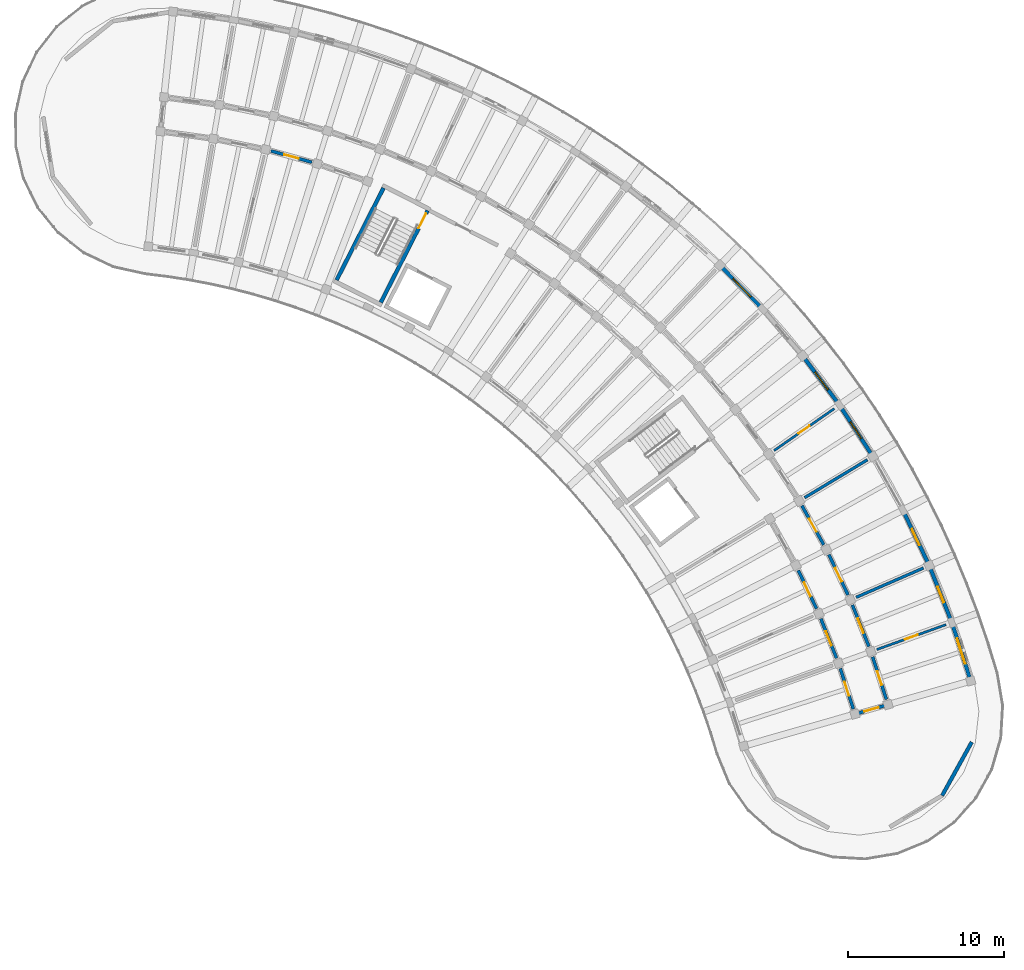
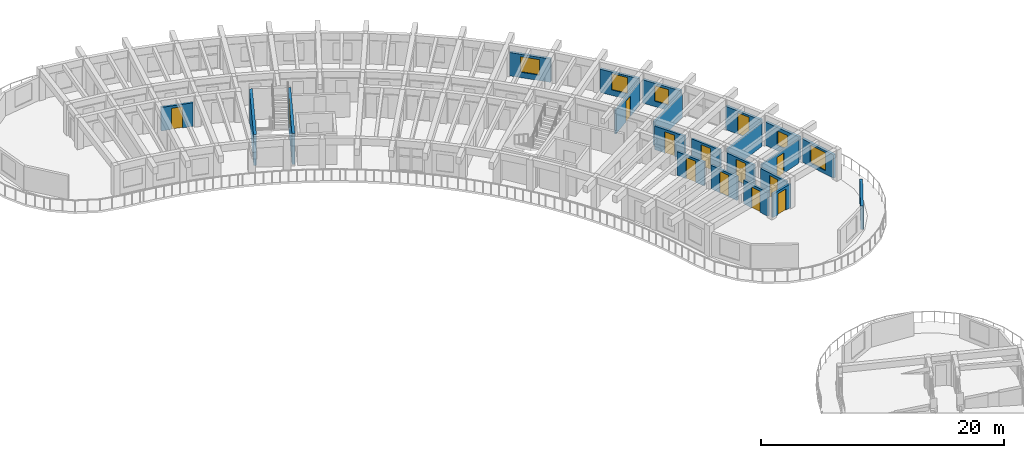
# One storey, part 53 of 78: 22 walls, 13 doors, 5 windows, 18 openings.
"""IFC4 building model written with IfcOpenShell, lengths in metres."""

from ifc_helpers import new_model, si_unit, direction, frame, frame_2d, origin, place, context, subcontext, project, spatial, rectangle, extrude, material, layer, layer_set, type_object, element, fill, save


model = new_model("IFC4")

# Units and contexts
model_context = context("Model", 3, precision=1e-05, world=origin(), true_north=direction((0.0, 1.0)))
body_context = subcontext(model_context, "Body", "Model", "MODEL_VIEW")
ifc_project = project(units=[si_unit("LENGTHUNIT", "METRE"), si_unit("AREAUNIT", "SQUARE_METRE"), si_unit("VOLUMEUNIT", "CUBIC_METRE"), si_unit("PLANEANGLEUNIT", "RADIAN"), si_unit("MASSUNIT", "GRAM", prefix="KILO")], contexts=[model_context])

# Site, building, storey
site_placement = place(None, origin())
site = spatial("IfcSite", under=ifc_project, at=site_placement, CompositionType="ELEMENT")
building_placement = place(site_placement, origin())
building = spatial("IfcBuilding", under=site, at=building_placement, Name="Tanwirah Colonnade Gardens", CompositionType="ELEMENT")
storey_placement = place(building_placement, frame((0.0, 0.0, 22.280029296875)))
storey = spatial("IfcBuildingStorey", under=building, at=storey_placement, Name="L06", CompositionType="ELEMENT", Elevation=22.280029296875)

# Wall, opening, window
ifc_material_1 = material(Name="Limestone architectural precast concrete C40/50", Category="masonry")
ifc_layer_1 = layer(ifc_material_1, 0.239990234375)
ifc_layer_set_1 = layer_set([ifc_layer_1], Name="Limestone architectural precast concrete C40/50")
wall_type_1 = type_object("IfcWallType", Name="EW-PC240", PredefinedType="SOLIDWALL", material=ifc_layer_set_1)
wall_1_placement = place(storey_placement, frame((178.16796875, 76.847412109375, 0.0), z_axis=(0.0, 0.0, 1.0), x_axis=(-0.30720538788, 0.951643236543, 0.0)))
wall_1 = element("IfcWall", 1, at=wall_1_placement, inside=storey, type_object=wall_type_1, Name="Block B L06 OUT Precast Facade Wall 0", PredefinedType="SOLIDWALL", context=body_context, shape_type="SweptSolid", body=[
    extrude(rectangle(XDim=3.5205078125, YDim=0.239990234375, at=frame_2d((1.76025390625, 0.0))), origin(), (0.0, 0.0, 1.0), 2.35498046875),
])
opening_1_placement = place(wall_1_placement, frame((0.910400390625, 0.0, 0.35009765625)))
opening_1 = element("IfcOpeningElement", 2, at=opening_1_placement, cuts=wall_1, Name="Opening WIN-T12", PredefinedType="OPENING", context=body_context, shape_type="SweptSolid", body=[
    extrude(rectangle(XDim=1.699951171875, YDim=1.800048828125, at=frame_2d((0.85009765625, 0.89990234375))), frame((0.0, 0.1298828125, 0.0), z_axis=(0.0, -1.0, 0.0), x_axis=(1.0, 0.0, 0.0)), (0.0, 0.0, 1.0), 0.260009765625),
])
ifc_material_2 = material(Name="Thermally broken bronze aluminium and solar low-E double glazing", Category="aluminium")
window_type_1 = type_object("IfcWindowType", Name="WIN-T12", PartitioningType="TRIPLE_PANEL_VERTICAL", PredefinedType="WINDOW", material=ifc_material_2)
window_1_placement = place(opening_1_placement, origin())
window_1 = element("IfcWindow", 3, at=window_1_placement, inside=storey, type_object=window_type_1, Name="Facade window B-L06-OUT-00", OverallHeight=1.800048828125, OverallWidth=1.699951171875, PartitioningType="SINGLE_PANEL", PredefinedType="WINDOW", context=body_context, shape_type="SweptSolid", body=[
    extrude(rectangle(XDim=1.699951171875, YDim=1.800048828125, at=frame_2d((0.85009765625, 0.89990234375))), frame((0.0, 0.030029296875, 0.0), z_axis=(0.0, -1.0, 0.0), x_axis=(1.0, 0.0, 0.0)), (0.0, 0.0, 1.0), 0.06005859375),
])
fill(opening_1, window_1)

wall_2_placement = place(storey_placement, frame((176.978271484375, 80.498779296875, 0.0), z_axis=(0.0, 0.0, 1.0), x_axis=(-0.369249632056, 0.929330247666, 0.0)))
wall_2 = element("IfcWall", 4, at=wall_2_placement, inside=storey, type_object=wall_type_1, Name="Block B L06 OUT Precast Facade Wall 1", PredefinedType="SOLIDWALL", context=body_context, shape_type="SweptSolid", body=[
    extrude(rectangle(XDim=3.520751953125, YDim=0.239990234375, at=frame_2d((1.76025390625, 0.0))), origin(), (0.0, 0.0, 1.0), 2.35498046875),
])
opening_2_placement = place(wall_2_placement, frame((1.22021484375, 0.0, 0.550048828125)))
opening_2 = element("IfcOpeningElement", 5, at=opening_2_placement, cuts=wall_2, Name="Opening WIN-T15", PredefinedType="OPENING", context=body_context, shape_type="SweptSolid", body=[
    extrude(rectangle(XDim=1.080078125, YDim=1.449951171875, at=frame_2d((0.5400390625, 0.72509765625))), frame((0.0, 0.1298828125, 0.0), z_axis=(0.0, -1.0, 0.0), x_axis=(1.0, 0.0, 0.0)), (0.0, 0.0, 1.0), 0.260009765625),
])
window_type_2 = type_object("IfcWindowType", Name="WIN-T15", PartitioningType="SINGLE_PANEL", PredefinedType="WINDOW", material=ifc_material_2)
window_2_placement = place(opening_2_placement, origin())
window_2 = element("IfcWindow", 6, at=window_2_placement, inside=storey, type_object=window_type_2, Name="Facade window B-L06-OUT-01", OverallHeight=1.449951171875, OverallWidth=1.080078125, PartitioningType="SINGLE_PANEL", PredefinedType="WINDOW", context=body_context, shape_type="SweptSolid", body=[
    extrude(rectangle(XDim=1.080078125, YDim=1.449951171875, at=frame_2d((0.5400390625, 0.72509765625))), frame((0.0, 0.030029296875, 0.0), z_axis=(0.0, -1.0, 0.0), x_axis=(1.0, 0.0, 0.0)), (0.0, 0.0, 1.0), 0.06005859375),
])
fill(opening_2, window_2)

# Wall, opening, door
wall_3_placement = place(storey_placement, frame((175.482666015625, 84.2197265625, 0.0), z_axis=(0.0, 0.0, 1.0), x_axis=(-0.429653621352, 0.902993779413, 0.0)))
wall_3 = element("IfcWall", 7, at=wall_3_placement, inside=storey, type_object=wall_type_1, Name="Block B L06 OUT Precast Facade Wall 2", PredefinedType="SOLIDWALL", context=body_context, shape_type="SweptSolid", body=[
    extrude(rectangle(XDim=3.520751953125, YDim=0.239990234375, at=frame_2d((1.76025390625, 0.0))), origin(), (0.0, 0.0, 1.0), 2.35498046875),
])
opening_3_placement = place(wall_3_placement, frame((1.1904296875, 0.0, 0.0)))
opening_3 = element("IfcOpeningElement", 8, at=opening_3_placement, cuts=wall_3, Name="Opening L06-ED094", PredefinedType="OPENING", context=body_context, shape_type="SweptSolid", body=[
    extrude(rectangle(XDim=1.139892578125, YDim=2.159912109375, at=frame_2d((0.56982421875, 1.080078125))), frame((0.0, 0.1298828125, 0.0), z_axis=(0.0, -1.0, 0.0), x_axis=(1.0, 0.0, 0.0)), (0.0, 0.0, 1.0), 0.260009765625),
])
ifc_material_3 = material(Name="Bronze aluminium glazed balcony door", Category="aluminium")
door_type_1 = type_object("IfcDoorType", Name="ED-BAL114", OperationType="NOTDEFINED", PredefinedType="DOOR", material=ifc_material_3)
door_1_placement = place(opening_3_placement, origin())
door_1 = element("IfcDoor", 9, at=door_1_placement, inside=storey, type_object=door_type_1, Name="Balcony glazed door L06-ED094", OperationType="SINGLE_SWING_LEFT", OverallHeight=2.159912109375, OverallWidth=1.139892578125, PredefinedType="DOOR", context=body_context, shape_type="SweptSolid", body=[
    extrude(rectangle(XDim=1.139892578125, YDim=2.159912109375, at=frame_2d((0.56982421875, 1.080078125))), frame((0.0, 0.02490234375, 0.0), z_axis=(0.0, -1.0, 0.0), x_axis=(1.0, 0.0, 0.0)), (0.0, 0.0, 1.0), 0.050048828125),
])
fill(opening_3, door_1)

# Wall, opening, window
wall_4_placement = place(storey_placement, frame((171.851318359375, 91.1748046875, 0.0), z_axis=(0.0, 0.0, 1.0), x_axis=(-0.544610510414, 0.838689091349, 0.0)))
wall_4 = element("IfcWall", 10, at=wall_4_placement, inside=storey, type_object=wall_type_1, Name="Block B L06 OUT Precast Facade Wall 4", PredefinedType="SOLIDWALL", context=body_context, shape_type="SweptSolid", body=[
    extrude(rectangle(XDim=3.520751953125, YDim=0.239990234375, at=frame_2d((1.76025390625, 0.0))), origin(), (0.0, 0.0, 1.0), 2.35498046875),
])
opening_4_placement = place(wall_4_placement, frame((1.120361328125, 0.0, 0.550048828125)))
opening_4 = element("IfcOpeningElement", 11, at=opening_4_placement, cuts=wall_4, Name="Opening WIN-U04", PredefinedType="OPENING", context=body_context, shape_type="SweptSolid", body=[
    extrude(rectangle(XDim=1.280029296875, YDim=1.56005859375, at=frame_2d((0.64013671875, 0.780029296875))), frame((0.0, 0.1298828125, 0.0), z_axis=(0.0, -1.0, 0.0), x_axis=(1.0, 0.0, 0.0)), (0.0, 0.0, 1.0), 0.260009765625),
])
window_type_3 = type_object("IfcWindowType", Name="WIN-U04", PartitioningType="DOUBLE_PANEL_VERTICAL", PredefinedType="WINDOW", material=ifc_material_2)
window_3_placement = place(opening_4_placement, origin())
window_3 = element("IfcWindow", 12, at=window_3_placement, inside=storey, type_object=window_type_3, Name="Facade window B-L06-OUT-04", OverallHeight=1.56005859375, OverallWidth=1.280029296875, PartitioningType="SINGLE_PANEL", PredefinedType="WINDOW", context=body_context, shape_type="SweptSolid", body=[
    extrude(rectangle(XDim=1.280029296875, YDim=1.56005859375, at=frame_2d((0.64013671875, 0.780029296875))), frame((0.0, 0.030029296875, 0.0), z_axis=(0.0, -1.0, 0.0), x_axis=(1.0, 0.0, 0.0)), (0.0, 0.0, 1.0), 0.06005859375),
])
fill(opening_4, window_3)

wall_5_placement = place(storey_placement, frame((169.7509765625, 94.389892578125, 0.0), z_axis=(0.0, 0.0, 1.0), x_axis=(-0.598701122926, 0.800972512267, 0.0)))
wall_5 = element("IfcWall", 13, at=wall_5_placement, inside=storey, type_object=wall_type_1, Name="Block B L06 OUT Precast Facade Wall 5", PredefinedType="SOLIDWALL", context=body_context, shape_type="SweptSolid", body=[
    extrude(rectangle(XDim=3.520751953125, YDim=0.239990234375, at=frame_2d((1.76025390625, 0.0))), origin(), (0.0, 0.0, 1.0), 2.35498046875),
])
opening_5_placement = place(wall_5_placement, frame((1.060302734375, 0.0, 0.550048828125)))
opening_5 = element("IfcOpeningElement", 14, at=opening_5_placement, cuts=wall_5, Name="Opening WIN-U07", PredefinedType="OPENING", context=body_context, shape_type="SweptSolid", body=[
    extrude(rectangle(XDim=1.39990234375, YDim=1.635009765625, at=frame_2d((0.699951171875, 0.8173828125))), frame((0.0, 0.1298828125, 0.0), z_axis=(0.0, -1.0, 0.0), x_axis=(1.0, 0.0, 0.0)), (0.0, 0.0, 1.0), 0.260009765625),
])
window_type_4 = type_object("IfcWindowType", Name="WIN-U07", PartitioningType="DOUBLE_PANEL_VERTICAL", PredefinedType="WINDOW", material=ifc_material_2)
window_4_placement = place(opening_5_placement, origin())
window_4 = element("IfcWindow", 15, at=window_4_placement, inside=storey, type_object=window_type_4, Name="Facade window B-L06-OUT-05", OverallHeight=1.635009765625, OverallWidth=1.39990234375, PartitioningType="SINGLE_PANEL", PredefinedType="WINDOW", context=body_context, shape_type="SweptSolid", body=[
    extrude(rectangle(XDim=1.39990234375, YDim=1.635009765625, at=frame_2d((0.699951171875, 0.8173828125))), frame((0.0, 0.030029296875, 0.0), z_axis=(0.0, -1.0, 0.0), x_axis=(1.0, 0.0, 0.0)), (0.0, 0.0, 1.0), 0.06005859375),
])
fill(opening_5, window_4)

wall_6_placement = place(storey_placement, frame((164.83203125, 100.503173828125, 0.0), z_axis=(0.0, 0.0, 1.0), x_axis=(-0.698841852324, 0.715276216186, 0.0)))
wall_6 = element("IfcWall", 16, at=wall_6_placement, inside=storey, type_object=wall_type_1, Name="Block B L06 OUT Precast Facade Wall 7", PredefinedType="SOLIDWALL", context=body_context, shape_type="SweptSolid", body=[
    extrude(rectangle(XDim=3.520751953125, YDim=0.239990234375, at=frame_2d((1.76025390625, 0.0))), origin(), (0.0, 0.0, 1.0), 2.35498046875),
])
opening_6_placement = place(wall_6_placement, frame((0.9404296875, 0.0, 0.550048828125)))
opening_6 = element("IfcOpeningElement", 17, at=opening_6_placement, cuts=wall_6, Name="Opening WIN-U13", PredefinedType="OPENING", context=body_context, shape_type="SweptSolid", body=[
    extrude(rectangle(XDim=1.639892578125, YDim=1.56005859375, at=frame_2d((0.81982421875, 0.780029296875))), frame((0.0, 0.1298828125, 0.0), z_axis=(0.0, -1.0, 0.0), x_axis=(1.0, 0.0, 0.0)), (0.0, 0.0, 1.0), 0.260009765625),
])
window_type_5 = type_object("IfcWindowType", Name="WIN-U13", PartitioningType="DOUBLE_PANEL_VERTICAL", PredefinedType="WINDOW", material=ifc_material_2)
window_5_placement = place(opening_6_placement, origin())
window_5 = element("IfcWindow", 18, at=window_5_placement, inside=storey, type_object=window_type_5, Name="Facade window B-L06-OUT-07", OverallHeight=1.56005859375, OverallWidth=1.639892578125, PartitioningType="SINGLE_PANEL", PredefinedType="WINDOW", context=body_context, shape_type="SweptSolid", body=[
    extrude(rectangle(XDim=1.639892578125, YDim=1.56005859375, at=frame_2d((0.81982421875, 0.780029296875))), frame((0.0, 0.030029296875, 0.0), z_axis=(0.0, -1.0, 0.0), x_axis=(1.0, 0.0, 0.0)), (0.0, 0.0, 1.0), 0.06005859375),
])
fill(opening_6, window_5)

# Wall
wall_7_placement = place(storey_placement, frame((178.311279296875, 72.70654296875, 0.0), z_axis=(0.0, 0.0, 1.0), x_axis=(-0.484841794757, -0.874601871743, 0.0)))
element("IfcWall", 19, at=wall_7_placement, inside=storey, type_object=wall_type_1, Name="Block B L06 START Rounded End Wall 1", PredefinedType="SOLIDWALL", context=body_context, shape_type="SweptSolid", body=[
    extrude(rectangle(XDim=3.907958984375, YDim=0.239990234375, at=frame_2d((1.9541015625, 0.0))), origin(), (0.0, 0.0, 1.0), 2.35498046875),
])

# Wall, opening, door
ifc_material_4 = material(Name="Precast concrete C40/50", Category="concrete")
ifc_layer_2 = layer(ifc_material_4, 0.205078125)
ifc_layer_set_2 = layer_set([ifc_layer_2], Name="Precast concrete C40/50")
wall_type_2 = type_object("IfcWallType", Name="IW-CORR205", PredefinedType="PARTITIONING", material=ifc_layer_set_2)
wall_8_placement = place(storey_placement, frame((172.8486328125, 75.431396484375, 0.0), z_axis=(0.0, 0.0, 1.0), x_axis=(-0.307157249761, 0.951658774939, 0.0)))
wall_8 = element("IfcWall", 20, at=wall_8_placement, inside=storey, type_object=wall_type_2, Name="Block B L06 OUT Corridor Wall 0", PredefinedType="PARTITIONING", context=body_context, shape_type="SweptSolid", body=[
    extrude(rectangle(XDim=2.863037109375, YDim=0.205078125, at=frame_2d((1.431640625, 0.0))), origin(), (0.0, 0.0, 1.0), 2.369873046875),
])
opening_7_placement = place(wall_8_placement, frame((0.966552734375, 0.0, 0.0)))
opening_7 = element("IfcOpeningElement", 21, at=opening_7_placement, cuts=wall_8, Name="Opening L06-AD1043", PredefinedType="OPENING", context=body_context, shape_type="SweptSolid", body=[
    extrude(rectangle(XDim=0.929931640625, YDim=2.1201171875, at=frame_2d((0.46484375, 1.06005859375))), frame((0.0, 0.112548828125, 0.0), z_axis=(0.0, -1.0, 0.0), x_axis=(1.0, 0.0, 0.0)), (0.0, 0.0, 1.0), 0.22509765625),
])
ifc_material_5 = material(Name="Solid oak fire-resisting apartment entrance door")
door_type_2 = type_object("IfcDoorType", Name="ID-FLT093", OperationType="NOTDEFINED", PredefinedType="DOOR", material=ifc_material_5)
door_2_placement = place(opening_7_placement, origin())
door_2 = element("IfcDoor", 22, at=door_2_placement, inside=storey, type_object=door_type_2, Name="Apartment corridor door L06-AD1043", OperationType="SINGLE_SWING_LEFT", OverallHeight=2.1201171875, OverallWidth=0.929931640625, PredefinedType="DOOR", context=body_context, shape_type="SweptSolid", body=[
    extrude(rectangle(XDim=0.929931640625, YDim=2.1201171875, at=frame_2d((0.46484375, 1.06005859375))), frame((0.0, 0.02490234375, 0.0), z_axis=(0.0, -1.0, 0.0), x_axis=(1.0, 0.0, 0.0)), (0.0, 0.0, 1.0), 0.050048828125),
])
fill(opening_7, door_2)

wall_9_placement = place(storey_placement, frame((170.73388671875, 74.824951171875, 0.0), z_axis=(0.0, 0.0, 1.0), x_axis=(-0.307186478934, 0.95164934044, 0.0)))
wall_9 = element("IfcWall", 23, at=wall_9_placement, inside=storey, type_object=wall_type_2, Name="Block B L06 IN Corridor Wall 0", PredefinedType="PARTITIONING", context=body_context, shape_type="SweptSolid", body=[
    extrude(rectangle(XDim=2.718017578125, YDim=0.205078125, at=frame_2d((1.35888671875, 0.0))), origin(), (0.0, 0.0, 1.0), 2.369873046875),
])
opening_8_placement = place(wall_9_placement, frame((0.89404296875, 0.0, 0.0)))
opening_8 = element("IfcOpeningElement", 24, at=opening_8_placement, cuts=wall_9, Name="Opening L06-AD1044", PredefinedType="OPENING", context=body_context, shape_type="SweptSolid", body=[
    extrude(rectangle(XDim=0.929931640625, YDim=2.1201171875, at=frame_2d((0.46484375, 1.06005859375))), frame((0.0, 0.112548828125, 0.0), z_axis=(0.0, -1.0, 0.0), x_axis=(1.0, 0.0, 0.0)), (0.0, 0.0, 1.0), 0.22509765625),
])
door_3_placement = place(opening_8_placement, origin())
door_3 = element("IfcDoor", 25, at=door_3_placement, inside=storey, type_object=door_type_2, Name="Apartment corridor door L06-AD1044", OperationType="SINGLE_SWING_RIGHT", OverallHeight=2.1201171875, OverallWidth=0.929931640625, PredefinedType="DOOR", context=body_context, shape_type="SweptSolid", body=[
    extrude(rectangle(XDim=0.929931640625, YDim=2.1201171875, at=frame_2d((0.46484375, 1.06005859375))), frame((0.0, 0.02490234375, 0.0), z_axis=(0.0, -1.0, 0.0), x_axis=(1.0, 0.0, 0.0)), (0.0, 0.0, 1.0), 0.050048828125),
])
fill(opening_8, door_3)

wall_10_placement = place(storey_placement, frame((171.732421875, 78.814208984375, 0.0), z_axis=(0.0, 0.0, 1.0), x_axis=(-0.369213832442, 0.929344471083, 0.0)))
wall_10 = element("IfcWall", 26, at=wall_10_placement, inside=storey, type_object=wall_type_2, Name="Block B L06 OUT Corridor Wall 1", PredefinedType="PARTITIONING", context=body_context, shape_type="SweptSolid", body=[
    extrude(rectangle(XDim=2.86328125, YDim=0.205078125, at=frame_2d((1.431640625, 0.0))), origin(), (0.0, 0.0, 1.0), 2.369873046875),
])
opening_9_placement = place(wall_10_placement, frame((0.9365234375, 0.0, 0.0)))
opening_9 = element("IfcOpeningElement", 27, at=opening_9_placement, cuts=wall_10, Name="Opening L06-AD1046", PredefinedType="OPENING", context=body_context, shape_type="SweptSolid", body=[
    extrude(rectangle(XDim=0.989990234375, YDim=2.159912109375, at=frame_2d((0.4951171875, 1.080078125))), frame((0.0, 0.112548828125, 0.0), z_axis=(0.0, -1.0, 0.0), x_axis=(1.0, 0.0, 0.0)), (0.0, 0.0, 1.0), 0.22509765625),
])
door_type_3 = type_object("IfcDoorType", Name="ID-FLT099", OperationType="NOTDEFINED", PredefinedType="DOOR", material=ifc_material_5)
door_4_placement = place(opening_9_placement, origin())
door_4 = element("IfcDoor", 28, at=door_4_placement, inside=storey, type_object=door_type_3, Name="Apartment corridor door L06-AD1046", OperationType="SINGLE_SWING_RIGHT", OverallHeight=2.159912109375, OverallWidth=0.989990234375, PredefinedType="DOOR", context=body_context, shape_type="SweptSolid", body=[
    extrude(rectangle(XDim=0.989990234375, YDim=2.159912109375, at=frame_2d((0.4951171875, 1.080078125))), frame((0.0, 0.02490234375, 0.0), z_axis=(0.0, -1.0, 0.0), x_axis=(1.0, 0.0, 0.0)), (0.0, 0.0, 1.0), 0.050048828125),
])
fill(opening_9, door_4)

wall_11_placement = place(storey_placement, frame((169.662353515625, 78.06982421875, 0.0), z_axis=(0.0, 0.0, 1.0), x_axis=(-0.369237170461, 0.929335198919, 0.0)))
wall_11 = element("IfcWall", 29, at=wall_11_placement, inside=storey, type_object=wall_type_2, Name="Block B L06 IN Corridor Wall 1", PredefinedType="PARTITIONING", context=body_context, shape_type="SweptSolid", body=[
    extrude(rectangle(XDim=2.71826171875, YDim=0.205078125, at=frame_2d((1.359130859375, 0.0))), origin(), (0.0, 0.0, 1.0), 2.369873046875),
])
opening_10_placement = place(wall_11_placement, frame((0.864013671875, 0.0, 0.0)))
opening_10 = element("IfcOpeningElement", 30, at=opening_10_placement, cuts=wall_11, Name="Opening L06-AD1047", PredefinedType="OPENING", context=body_context, shape_type="SweptSolid", body=[
    extrude(rectangle(XDim=0.989990234375, YDim=2.159912109375, at=frame_2d((0.4951171875, 1.080078125))), frame((0.0, 0.112548828125, 0.0), z_axis=(0.0, -1.0, 0.0), x_axis=(1.0, 0.0, 0.0)), (0.0, 0.0, 1.0), 0.22509765625),
])
door_5_placement = place(opening_10_placement, origin())
door_5 = element("IfcDoor", 31, at=door_5_placement, inside=storey, type_object=door_type_3, Name="Apartment corridor door L06-AD1047", OperationType="SINGLE_SWING_LEFT", OverallHeight=2.159912109375, OverallWidth=0.989990234375, PredefinedType="DOOR", context=body_context, shape_type="SweptSolid", body=[
    extrude(rectangle(XDim=0.989990234375, YDim=2.159912109375, at=frame_2d((0.4951171875, 1.080078125))), frame((0.0, 0.02490234375, 0.0), z_axis=(0.0, -1.0, 0.0), x_axis=(1.0, 0.0, 0.0)), (0.0, 0.0, 1.0), 0.050048828125),
])
fill(opening_10, door_5)

wall_12_placement = place(storey_placement, frame((170.395751953125, 82.116455078125, 0.0), z_axis=(0.0, 0.0, 1.0), x_axis=(-0.429595933416, 0.90302122566, 0.0)))
wall_12 = element("IfcWall", 32, at=wall_12_placement, inside=storey, type_object=wall_type_2, Name="Block B L06 OUT Corridor Wall 2", PredefinedType="PARTITIONING", context=body_context, shape_type="SweptSolid", body=[
    extrude(rectangle(XDim=2.863037109375, YDim=0.205078125, at=frame_2d((1.431640625, 0.0))), origin(), (0.0, 0.0, 1.0), 2.369873046875),
])
opening_11_placement = place(wall_12_placement, frame((0.946533203125, 0.0, 0.0)))
opening_11 = element("IfcOpeningElement", 33, at=opening_11_placement, cuts=wall_12, Name="Opening L06-AD1049", PredefinedType="OPENING", context=body_context, shape_type="SweptSolid", body=[
    extrude(rectangle(XDim=0.969970703125, YDim=2.14990234375, at=frame_2d((0.48486328125, 1.074951171875))), frame((0.0, 0.112548828125, 0.0), z_axis=(0.0, -1.0, 0.0), x_axis=(1.0, 0.0, 0.0)), (0.0, 0.0, 1.0), 0.22509765625),
])
door_type_4 = type_object("IfcDoorType", Name="ID-FLT097", OperationType="NOTDEFINED", PredefinedType="DOOR", material=ifc_material_5)
door_6_placement = place(opening_11_placement, origin())
door_6 = element("IfcDoor", 34, at=door_6_placement, inside=storey, type_object=door_type_4, Name="Apartment corridor door L06-AD1049", OperationType="SINGLE_SWING_LEFT", OverallHeight=2.14990234375, OverallWidth=0.969970703125, PredefinedType="DOOR", context=body_context, shape_type="SweptSolid", body=[
    extrude(rectangle(XDim=0.969970703125, YDim=2.14990234375, at=frame_2d((0.48486328125, 1.074951171875))), frame((0.0, 0.02490234375, 0.0), z_axis=(0.0, -1.0, 0.0), x_axis=(1.0, 0.0, 0.0)), (0.0, 0.0, 1.0), 0.050048828125),
])
fill(opening_11, door_6)

wall_13_placement = place(storey_placement, frame((168.379150390625, 81.2373046875, 0.0), z_axis=(0.0, 0.0, 1.0), x_axis=(-0.429630211913, 0.90300491749, 0.0)))
wall_13 = element("IfcWall", 35, at=wall_13_placement, inside=storey, type_object=wall_type_2, Name="Block B L06 IN Corridor Wall 2", PredefinedType="PARTITIONING", context=body_context, shape_type="SweptSolid", body=[
    extrude(rectangle(XDim=2.718017578125, YDim=0.205078125, at=frame_2d((1.35888671875, 0.0))), origin(), (0.0, 0.0, 1.0), 2.369873046875),
])
opening_12_placement = place(wall_13_placement, frame((0.8740234375, 0.0, 0.0)))
opening_12 = element("IfcOpeningElement", 36, at=opening_12_placement, cuts=wall_13, Name="Opening L06-AD1050", PredefinedType="OPENING", context=body_context, shape_type="SweptSolid", body=[
    extrude(rectangle(XDim=0.969970703125, YDim=2.14990234375, at=frame_2d((0.48486328125, 1.074951171875))), frame((0.0, 0.112548828125, 0.0), z_axis=(0.0, -1.0, 0.0), x_axis=(1.0, 0.0, 0.0)), (0.0, 0.0, 1.0), 0.22509765625),
])
door_7_placement = place(opening_12_placement, origin())
door_7 = element("IfcDoor", 37, at=door_7_placement, inside=storey, type_object=door_type_4, Name="Apartment corridor door L06-AD1050", OperationType="SINGLE_SWING_RIGHT", OverallHeight=2.14990234375, OverallWidth=0.969970703125, PredefinedType="DOOR", context=body_context, shape_type="SweptSolid", body=[
    extrude(rectangle(XDim=0.969970703125, YDim=2.14990234375, at=frame_2d((0.48486328125, 1.074951171875))), frame((0.0, 0.02490234375, 0.0), z_axis=(0.0, -1.0, 0.0), x_axis=(1.0, 0.0, 0.0)), (0.0, 0.0, 1.0), 0.050048828125),
])
fill(opening_12, door_7)

wall_14_placement = place(storey_placement, frame((168.844482421875, 85.323486328125, 0.0), z_axis=(0.0, 0.0, 1.0), x_axis=(-0.48817487918, 0.872745832037, 0.0)))
wall_14 = element("IfcWall", 38, at=wall_14_placement, inside=storey, type_object=wall_type_2, Name="Block B L06 OUT Corridor Wall 3", PredefinedType="PARTITIONING", context=body_context, shape_type="SweptSolid", body=[
    extrude(rectangle(XDim=2.863037109375, YDim=0.205078125, at=frame_2d((1.431640625, 0.0))), origin(), (0.0, 0.0, 1.0), 2.369873046875),
])
opening_13_placement = place(wall_14_placement, frame((0.95654296875, 0.0, 0.0)))
opening_13 = element("IfcOpeningElement", 39, at=opening_13_placement, cuts=wall_14, Name="Opening L06-AD1051", PredefinedType="OPENING", context=body_context, shape_type="SweptSolid", body=[
    extrude(rectangle(XDim=0.949951171875, YDim=2.1298828125, at=frame_2d((0.47509765625, 1.06494140625))), frame((0.0, 0.112548828125, 0.0), z_axis=(0.0, -1.0, 0.0), x_axis=(1.0, 0.0, 0.0)), (0.0, 0.0, 1.0), 0.22509765625),
])
door_type_5 = type_object("IfcDoorType", Name="ID-FLT095", OperationType="NOTDEFINED", PredefinedType="DOOR", material=ifc_material_5)
door_8_placement = place(opening_13_placement, origin())
door_8 = element("IfcDoor", 40, at=door_8_placement, inside=storey, type_object=door_type_5, Name="Apartment corridor door L06-AD1051", OperationType="SINGLE_SWING_RIGHT", OverallHeight=2.1298828125, OverallWidth=0.949951171875, PredefinedType="DOOR", context=body_context, shape_type="SweptSolid", body=[
    extrude(rectangle(XDim=0.949951171875, YDim=2.1298828125, at=frame_2d((0.47509765625, 1.06494140625))), frame((0.0, 0.02490234375, 0.0), z_axis=(0.0, -1.0, 0.0), x_axis=(1.0, 0.0, 0.0)), (0.0, 0.0, 1.0), 0.050048828125),
])
fill(opening_13, door_8)

wall_15_placement = place(storey_placement, frame((136.1103515625, 109.78857421875, 0.0), z_axis=(0.0, 0.0, 1.0), x_axis=(-0.96388375821, 0.266323301006, 0.0)))
wall_15 = element("IfcWall", 41, at=wall_15_placement, inside=storey, type_object=wall_type_2, Name="Block B L06 IN Corridor Wall 15", PredefinedType="PARTITIONING", context=body_context, shape_type="SweptSolid", body=[
    extrude(rectangle(XDim=2.718017578125, YDim=0.205078125, at=frame_2d((1.35888671875, 0.0))), origin(), (0.0, 0.0, 1.0), 2.369873046875),
])
opening_14_placement = place(wall_15_placement, frame((0.884033203125, 0.0, 0.0)))
opening_14 = element("IfcOpeningElement", 42, at=opening_14_placement, cuts=wall_15, Name="Opening L06-AD1077", PredefinedType="OPENING", context=body_context, shape_type="SweptSolid", body=[
    extrude(rectangle(XDim=0.949951171875, YDim=2.1298828125, at=frame_2d((0.47509765625, 1.06494140625))), frame((0.0, 0.112548828125, 0.0), z_axis=(0.0, -1.0, 0.0), x_axis=(1.0, 0.0, 0.0)), (0.0, 0.0, 1.0), 0.22509765625),
])
door_9_placement = place(opening_14_placement, origin())
door_9 = element("IfcDoor", 43, at=door_9_placement, inside=storey, type_object=door_type_5, Name="Apartment corridor door L06-AD1077", OperationType="SINGLE_SWING_LEFT", OverallHeight=2.1298828125, OverallWidth=0.949951171875, PredefinedType="DOOR", context=body_context, shape_type="SweptSolid", body=[
    extrude(rectangle(XDim=0.949951171875, YDim=2.1298828125, at=frame_2d((0.47509765625, 1.06494140625))), frame((0.0, 0.02490234375, 0.0), z_axis=(0.0, -1.0, 0.0), x_axis=(1.0, 0.0, 0.0)), (0.0, 0.0, 1.0), 0.050048828125),
])
fill(opening_14, door_9)

wall_16_placement = place(storey_placement, frame((170.889404296875, 74.505615234375, 0.0), z_axis=(0.0, 0.0, 1.0), x_axis=(0.961264701934, 0.275626872449, 0.0)))
wall_16 = element("IfcWall", 44, at=wall_16_placement, inside=storey, type_object=wall_type_2, Name="Block B L06 CS Corner Suite Corridor Wall", PredefinedType="PARTITIONING", context=body_context, shape_type="SweptSolid", body=[
    extrude(rectangle(XDim=2.10009765625, YDim=0.205078125, at=frame_2d((1.050048828125, 0.0))), origin(), (0.0, 0.0, 1.0), 2.369873046875),
])
opening_15_placement = place(wall_16_placement, frame((0.570068359375, 0.0, 0.0)))
opening_15 = element("IfcOpeningElement", 45, at=opening_15_placement, cuts=wall_16, Name="Opening L06-CD1084", PredefinedType="OPENING", context=body_context, shape_type="SweptSolid", body=[
    extrude(rectangle(XDim=0.949951171875, YDim=2.1298828125, at=frame_2d((0.47509765625, 1.06494140625))), frame((0.0, 0.112548828125, 0.0), z_axis=(0.0, -1.0, 0.0), x_axis=(1.0, 0.0, 0.0)), (0.0, 0.0, 1.0), 0.22509765625),
])
door_10_placement = place(opening_15_placement, origin())
door_10 = element("IfcDoor", 46, at=door_10_placement, inside=storey, type_object=door_type_5, Name="Corner suite entrance door L06-CD1084", OperationType="SINGLE_SWING_LEFT", OverallHeight=2.1298828125, OverallWidth=0.949951171875, PredefinedType="DOOR", context=body_context, shape_type="SweptSolid", body=[
    extrude(rectangle(XDim=0.949951171875, YDim=2.1298828125, at=frame_2d((0.47509765625, 1.06494140625))), frame((0.0, 0.02490234375, 0.0), z_axis=(0.0, -1.0, 0.0), x_axis=(1.0, 0.0, 0.0)), (0.0, 0.0, 1.0), 0.050048828125),
])
fill(opening_15, door_10)

# Walls
ifc_layer_3 = layer(ifc_material_4, 0.18505859375)
ifc_layer_set_3 = layer_set([ifc_layer_3], Name="Precast concrete C40/50")
wall_type_3 = type_object("IfcWallType", Name="IW-DEM185", PredefinedType="PARTITIONING", material=ifc_layer_set_3)
for number, where, z_axis, x_axis, name in (
    (47, (170.912841796875, 81.960205078125, 0.0), (0.0, 0.0, 1.0), (0.916663273961, 0.39966040856, 0.0), "Block B L06 Radial Partition 1"),
    (48, (167.618408203125, 88.334228515625, 0.0), (0.0, 0.0, 1.0), (0.856165473929, 0.516701733356, 0.0), "Block B L06 Radial Partition 3"),
):
    element("IfcWall", number, at=place(storey_placement, frame(where, z_axis=z_axis, x_axis=x_axis)), inside=storey, type_object=wall_type_3, Name=name, PredefinedType="PARTITIONING", context=body_context, shape_type="SweptSolid", body=[
        extrude(rectangle(XDim=4.699951171875, YDim=0.18505859375, at=frame_2d((2.35009765625, 0.0))), origin(), (0.0, 0.0, 1.0), 2.369873046875),
    ])

# Wall, opening, door
ifc_material_6 = material(Name="Water-resistant acoustic plumbing partition")
ifc_layer_4 = layer(ifc_material_6, 0.14990234375)
ifc_layer_set_4 = layer_set([ifc_layer_4], Name="Water-resistant acoustic plumbing partition")
wall_type_4 = type_object("IfcWallType", Name="IW-WET150", PredefinedType="PLUMBINGWALL", material=ifc_layer_set_4)
wall_17_placement = place(storey_placement, frame((172.238037109375, 78.62451171875, 0.0), z_axis=(0.0, 0.0, 1.0), x_axis=(0.941015806044, 0.338362605463, 0.0)))
wall_17 = element("IfcWall", 49, at=wall_17_placement, inside=storey, type_object=wall_type_4, Name="Block B L06 Radial Partition 0", PredefinedType="PLUMBINGWALL", context=body_context, shape_type="SweptSolid", body=[
    extrude(rectangle(XDim=4.7001953125, YDim=0.14990234375, at=frame_2d((2.35009765625, 0.0))), origin(), (0.0, 0.0, 1.0), 2.369873046875),
])
opening_16_placement = place(wall_17_placement, frame((1.919921875, 0.0, 0.0)))
opening_16 = element("IfcOpeningElement", 50, at=opening_16_placement, cuts=wall_17, Name="Opening L06-RD1045", PredefinedType="OPENING", context=body_context, shape_type="SweptSolid", body=[
    extrude(rectangle(XDim=0.860107421875, YDim=2.06005859375, at=frame_2d((0.43017578125, 1.030029296875))), frame((0.0, 0.0849609375, 0.0), z_axis=(0.0, -1.0, 0.0), x_axis=(1.0, 0.0, 0.0)), (0.0, 0.0, 1.0), 0.169921875),
])
ifc_material_7 = material(Name="Moisture-resistant bathroom door")
door_type_6 = type_object("IfcDoorType", Name="ID-WET086", OperationType="NOTDEFINED", PredefinedType="DOOR", material=ifc_material_7)
door_11_placement = place(opening_16_placement, origin())
door_11 = element("IfcDoor", 51, at=door_11_placement, inside=storey, type_object=door_type_6, Name="Internal apartment door L06-RD1045", OperationType="SINGLE_SWING_LEFT", OverallHeight=2.06005859375, OverallWidth=0.860107421875, PredefinedType="DOOR", context=body_context, shape_type="SweptSolid", body=[
    extrude(rectangle(XDim=0.860107421875, YDim=2.06005859375, at=frame_2d((0.43017578125, 1.030029296875))), frame((0.0, 0.02490234375, 0.0), z_axis=(0.0, -1.0, 0.0), x_axis=(1.0, 0.0, 0.0)), (0.0, 0.0, 1.0), 0.050048828125),
])
fill(opening_16, door_11)

wall_18_placement = place(storey_placement, frame((165.663330078125, 91.3447265625, 0.0), z_axis=(0.0, 0.0, 1.0), x_axis=(0.820272617205, 0.571972755876, 0.0)))
wall_18 = element("IfcWall", 52, at=wall_18_placement, inside=storey, type_object=wall_type_4, Name="Block B L06 Radial Partition 4", PredefinedType="PLUMBINGWALL", context=body_context, shape_type="SweptSolid", body=[
    extrude(rectangle(XDim=4.699951171875, YDim=0.14990234375, at=frame_2d((2.35009765625, 0.0))), origin(), (0.0, 0.0, 1.0), 2.369873046875),
])
opening_17_placement = place(wall_18_placement, frame((1.919921875, 0.0, 0.0)))
opening_17 = element("IfcOpeningElement", 53, at=opening_17_placement, cuts=wall_18, Name="Opening L06-RD1055", PredefinedType="OPENING", context=body_context, shape_type="SweptSolid", body=[
    extrude(rectangle(XDim=0.860107421875, YDim=2.06005859375, at=frame_2d((0.43017578125, 1.030029296875))), frame((0.0, 0.0849609375, 0.0), z_axis=(0.0, -1.0, 0.0), x_axis=(1.0, 0.0, 0.0)), (0.0, 0.0, 1.0), 0.169921875),
])
door_12_placement = place(opening_17_placement, origin())
door_12 = element("IfcDoor", 54, at=door_12_placement, inside=storey, type_object=door_type_6, Name="Internal apartment door L06-RD1055", OperationType="SINGLE_SWING_LEFT", OverallHeight=2.06005859375, OverallWidth=0.860107421875, PredefinedType="DOOR", context=body_context, shape_type="SweptSolid", body=[
    extrude(rectangle(XDim=0.860107421875, YDim=2.06005859375, at=frame_2d((0.43017578125, 1.030029296875))), frame((0.0, 0.02490234375, 0.0), z_axis=(0.0, -1.0, 0.0), x_axis=(1.0, 0.0, 0.0)), (0.0, 0.0, 1.0), 0.050048828125),
])
fill(opening_17, door_12)

# Wall
ifc_material_8 = material(Name="Concrete C45/55", Category="concrete")
ifc_layer_5 = layer(ifc_material_8, 0.25)
ifc_layer_set_5 = layer_set([ifc_layer_5], Name="Concrete C45/55")
wall_type_5 = type_object("IfcWallType", Name="SW-CORE250", PredefinedType="SHEAR", material=ifc_layer_set_5)
wall_19_placement = place(storey_placement, frame((140.68408203125, 108.138671875, 0.0), z_axis=(0.0, 0.0, 1.0), x_axis=(-0.453992276384, -0.891005618941, 0.0)))
element("IfcWall", 55, at=wall_19_placement, inside=storey, type_object=wall_type_5, Name="CORE-B2 L06 Stair Shaft Shear Wall LEFT", PredefinedType="SHEAR", context=body_context, shape_type="SweptSolid", body=[
    extrude(rectangle(XDim=6.599853515625, YDim=0.25, at=frame_2d((3.2998046875, 0.0))), origin(), (0.0, 0.0, 1.0), 3.10986328125),
])

# Wall, opening, door
wall_20_placement = place(storey_placement, frame((143.508544921875, 106.699462890625, 0.0), z_axis=(0.0, 0.0, 1.0), x_axis=(-0.453992276384, -0.891005618941, 0.0)))
wall_20 = element("IfcWall", 56, at=wall_20_placement, inside=storey, type_object=wall_type_5, Name="CORE-B2 L06 Stair Shaft Shear Wall RIGHT", PredefinedType="SHEAR", context=body_context, shape_type="SweptSolid", body=[
    extrude(rectangle(XDim=6.599853515625, YDim=0.25, at=frame_2d((3.2998046875, 0.0))), origin(), (0.0, 0.0, 1.0), 3.10986328125),
])
opening_18_placement = place(wall_20_placement, frame((0.219970703125, 0.0, 0.0)))
opening_18 = element("IfcOpeningElement", 57, at=opening_18_placement, cuts=wall_20, Name="Opening L06-SD100", PredefinedType="OPENING", context=body_context, shape_type="SweptSolid", body=[
    extrude(rectangle(XDim=1.050048828125, YDim=2.14990234375, at=frame_2d((0.52490234375, 1.074951171875))), frame((0.0, 0.135009765625, 0.0), z_axis=(0.0, -1.0, 0.0), x_axis=(1.0, 0.0, 0.0)), (0.0, 0.0, 1.0), 0.27001953125),
])
ifc_material_9 = material(Name="Steel fire-resisting stair enclosure door", Category="steel")
door_type_7 = type_object("IfcDoorType", Name="ID-ST105", OperationType="NOTDEFINED", PredefinedType="DOOR", material=ifc_material_9)
door_13_placement = place(opening_18_placement, origin())
door_13 = element("IfcDoor", 58, at=door_13_placement, inside=storey, type_object=door_type_7, Name="CORE-B2 L06 Stair Fire Door L06-SD100", OperationType="SINGLE_SWING_LEFT", OverallHeight=2.14990234375, OverallWidth=1.050048828125, PredefinedType="DOOR", context=body_context, shape_type="SweptSolid", body=[
    extrude(rectangle(XDim=1.050048828125, YDim=2.14990234375, at=frame_2d((0.52490234375, 1.074951171875))), frame((0.0, 0.02490234375, 0.0), z_axis=(0.0, -1.0, 0.0), x_axis=(1.0, 0.0, 0.0)), (0.0, 0.0, 1.0), 0.050048828125),
])
fill(opening_18, door_13)

save(model, "model.ifc")
